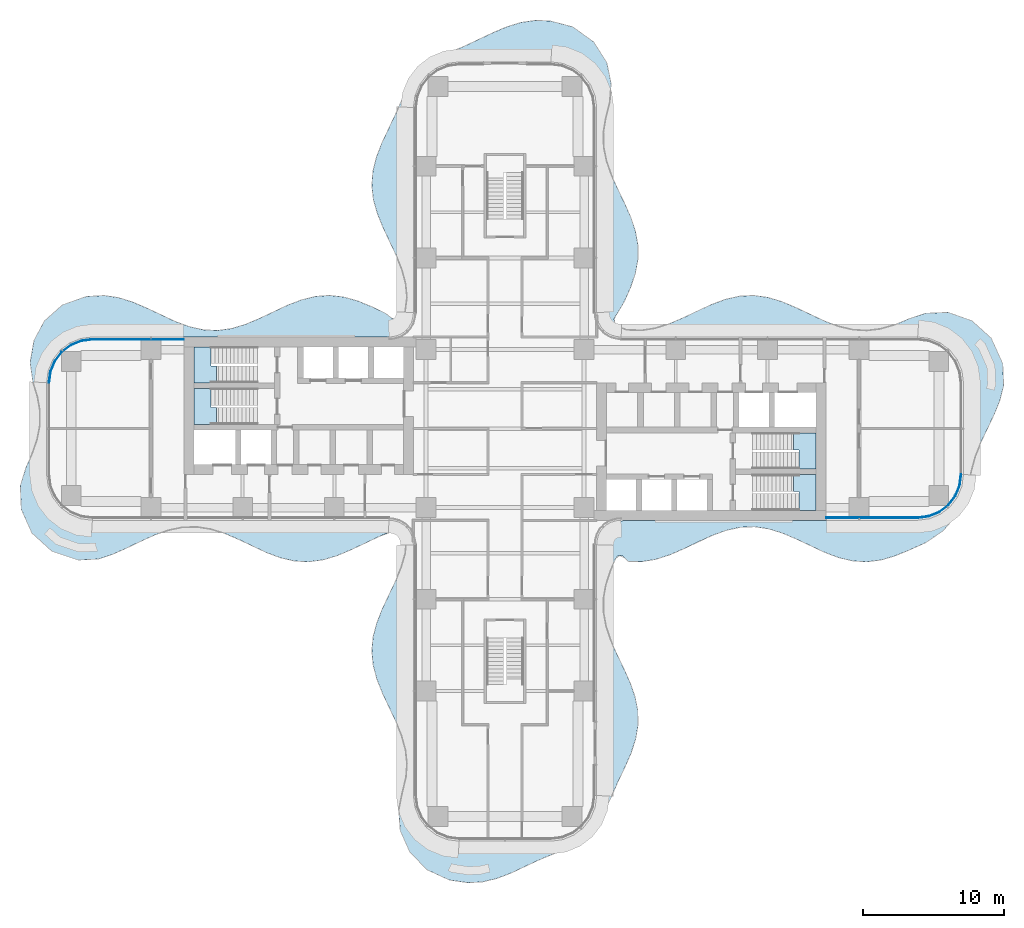
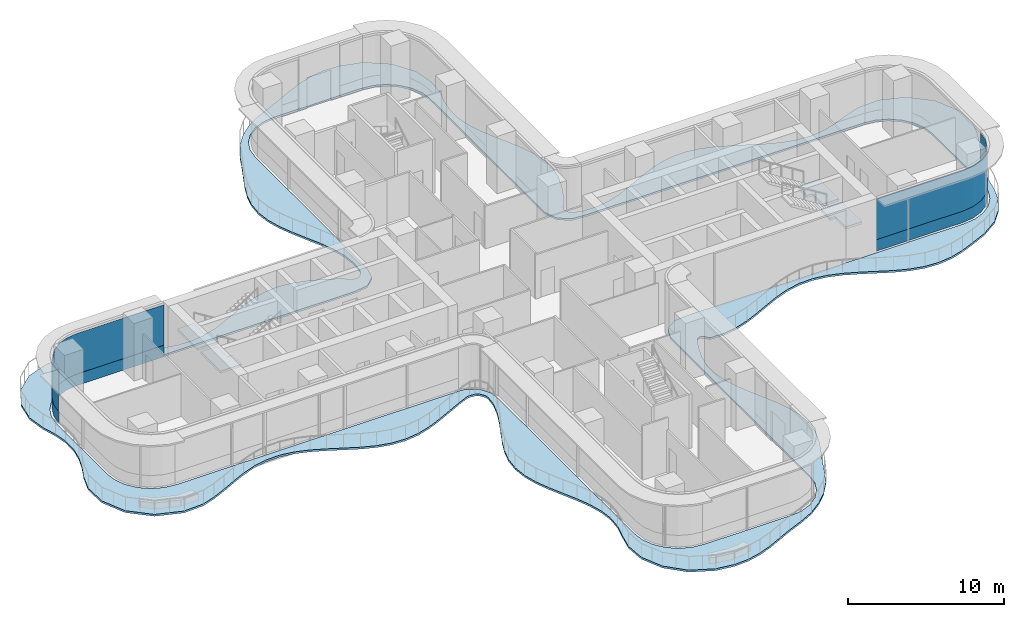
# One storey, part 15 of 22: 5 slabs, 4 plates, 6 elements without a shape of their own.
"""IFC4 building model written with IfcOpenShell, lengths in metres."""

import ifcopenshell
import ifcopenshell.guid

model = None  # the IFC model being written
_history = None  # IfcOwnerHistory: only IFC2X3 demands one
_inside = {}  # id of a spatial element -> (the spatial element, [elements in it])
_under = {}  # id of a project, library or spatial element -> (it, [spatial elements below it])
_declared = {}  # id of a project -> (the project, [libraries it declares])
_typed = {}  # id of a type object -> (the type object, [elements of that type])
_made_of = {}  # id of a material, layer set ... -> (it, [elements and type objects made of it])


def new_model(schema):
    """Start an empty IFC model of exactly this schema.

    Asked for "IFC4X3", IfcOpenShell would pick the latest addendum, in which some entities
    have other attributes; the version numbers below select the first issue.
    IFC2X3 requires an IfcOwnerHistory on every rooted entity: one is made here for all.
    """
    global model, _history
    if schema == "IFC4X3":
        model = ifcopenshell.file(schema_version=(4, 3, 0, 0))
    else:
        model = ifcopenshell.file(schema=schema)
    _inside.clear()
    _under.clear()
    _declared.clear()
    _typed.clear()
    _made_of.clear()
    _history = None
    if model.schema == "IFC2X3":
        org = make("IfcOrganization", Name="unknown")
        user = make(
            "IfcPersonAndOrganization",
            ThePerson=make("IfcPerson", FamilyName="unknown"),
            TheOrganization=org,
        )
        app = make(
            "IfcApplication",
            ApplicationDeveloper=org,
            Version="unknown",
            ApplicationFullName="unknown",
            ApplicationIdentifier="unknown",
        )
        _history = make(
            "IfcOwnerHistory",
            OwningUser=user,
            OwningApplication=app,
            ChangeAction="ADDED",
            CreationDate=0,
        )
    return model


def make(cls, **values):
    """One entity of the class cls with the attributes given. An attribute that is None is left unset."""
    return model.create_entity(
        cls, **{name: value for name, value in values.items() if value is not None}
    )


def rooted(cls, **values):
    """An entity with a GlobalId (a new one), such as an element, a storey or a relation."""
    return make(cls, GlobalId=ifcopenshell.guid.new(), OwnerHistory=_history, **values)


def si_unit(unit_type, name, prefix=None):
    """IfcSIUnit, for example si_unit("LENGTHUNIT", "METRE", prefix="MILLI")."""
    return make("IfcSIUnit", UnitType=unit_type, Prefix=prefix, Name=name)


def assignment(units):
    """IfcUnitAssignment: the units of a project."""
    return None if units is None else make("IfcUnitAssignment", Units=units)


def point(xyz):
    """IfcCartesianPoint."""
    return None if xyz is None else make("IfcCartesianPoint", Coordinates=xyz)


def direction(xyz):
    """IfcDirection."""
    return None if xyz is None else make("IfcDirection", DirectionRatios=xyz)


def frame(location, z_axis=None, x_axis=None):
    """IfcAxis2Placement3D, a coordinate frame: its origin and axes. An axis left out is left unset."""
    return make(
        "IfcAxis2Placement3D",
        Location=point(location),
        Axis=direction(z_axis),
        RefDirection=direction(x_axis),
    )


def origin():
    """The frame at (0, 0, 0) with its axes left unset."""
    return frame((0.0, 0.0, 0.0))


def place(relative_to, where):
    """IfcLocalPlacement: puts the frame where relative to a parent placement (None: the world)."""
    return make(
        "IfcLocalPlacement", PlacementRelTo=relative_to, RelativePlacement=where
    )


def context(
    kind, dimensions, precision=None, world=None, true_north=None, identifier=None
):
    """IfcGeometricRepresentationContext, for example the 3D "Model" context."""
    return make(
        "IfcGeometricRepresentationContext",
        ContextIdentifier=identifier,
        ContextType=kind,
        CoordinateSpaceDimension=dimensions,
        Precision=precision,
        WorldCoordinateSystem=world,
        TrueNorth=true_north,
    )


def subcontext(parent, identifier, kind, view, scale=None):
    """IfcGeometricRepresentationSubContext, for example "Body" below "Model"."""
    return make(
        "IfcGeometricRepresentationSubContext",
        ContextIdentifier=identifier,
        ContextType=kind,
        ParentContext=parent,
        TargetScale=scale,
        TargetView=view,
    )


def project(units=None, contexts=None):
    """IfcProject with its units and contexts."""
    return rooted(
        "IfcProject",
        Name="project",
        RepresentationContexts=contexts,
        UnitsInContext=assignment(units),
    )


def spatial(cls, under=None, at=None, **own):
    """A site, building, storey or space (cls), placed at a placement, below another one or the project."""
    s = rooted(cls, ObjectPlacement=at, **own)
    if under is not None:
        _under.setdefault(under.id(), (under, []))[1].append(s)
    return s


def polyline(points):
    """IfcPolyline through the points."""
    return make("IfcPolyline", Points=[point(p) for p in points])


def outline(outer, holes=None, kind="AREA"):
    """IfcArbitraryClosedProfileDef: a profile drawn as a closed curve; with holes, ...WithVoids."""
    if holes is None:
        return make("IfcArbitraryClosedProfileDef", ProfileType=kind, OuterCurve=outer)
    return make(
        "IfcArbitraryProfileDefWithVoids",
        ProfileType=kind,
        OuterCurve=outer,
        InnerCurves=holes,
    )


def extrude(swept, where, along, depth):
    """IfcExtrudedAreaSolid: the profile swept, set in the frame where, extruded along a direction by depth."""
    return make(
        "IfcExtrudedAreaSolid",
        SweptArea=swept,
        Position=where,
        ExtrudedDirection=direction(along),
        Depth=depth,
    )


def shape(context_of_items, identifier, shape_type, items):
    """IfcShapeRepresentation: the items that make up one representation, for example the "Body"."""
    return make(
        "IfcShapeRepresentation",
        ContextOfItems=context_of_items,
        RepresentationIdentifier=identifier,
        RepresentationType=shape_type,
        Items=items,
    )


def source(mapping_origin, context_of_items, identifier, shape_type, items):
    """IfcRepresentationMap: a shape defined once, which mapped items show again and again."""
    return make(
        "IfcRepresentationMap",
        MappingOrigin=mapping_origin,
        MappedRepresentation=shape(context_of_items, identifier, shape_type, items),
    )


def transform(
    local_origin,
    x_axis=None,
    y_axis=None,
    z_axis=None,
    scale=None,
    scale2=None,
    scale3=None,
    uniform=True,
):
    """IfcCartesianTransformationOperator3D, or its non-uniform kind. x_axis, y_axis, z_axis: its Axis1, 2, 3."""
    if uniform:
        return make(
            "IfcCartesianTransformationOperator3D",
            Axis1=direction(x_axis),
            Axis2=direction(y_axis),
            LocalOrigin=point(local_origin),
            Scale=scale,
            Axis3=direction(z_axis),
        )
    return make(
        "IfcCartesianTransformationOperator3DnonUniform",
        Axis1=direction(x_axis),
        Axis2=direction(y_axis),
        LocalOrigin=point(local_origin),
        Scale=scale,
        Axis3=direction(z_axis),
        Scale2=scale2,
        Scale3=scale3,
    )


def mapped(mapping_source, mapping_target):
    """IfcMappedItem: shows the shape of a source again, moved by a transform."""
    return make(
        "IfcMappedItem", MappingSource=mapping_source, MappingTarget=mapping_target
    )


def material(Name=None, Category=None):
    """IfcMaterial."""
    return make("IfcMaterial", Name=Name, Category=Category)


def layer(
    of_material, thickness, ventilated=None, Name=None, Category=None, Priority=None
):
    """IfcMaterialLayer: one layer of a wall or slab, of a material (None: an air gap)."""
    return make(
        "IfcMaterialLayer",
        Material=of_material,
        LayerThickness=thickness,
        IsVentilated=ventilated,
        Name=Name,
        Category=Category,
        Priority=Priority,
    )


def layer_set(layers, Name=None):
    """IfcMaterialLayerSet."""
    return make("IfcMaterialLayerSet", MaterialLayers=layers, LayerSetName=Name)


def made_of(thing, what):
    """Note that an element or type object is made of a material, layer set ...; save() writes the relation."""
    if what is not None:
        _made_of.setdefault(what.id(), (what, []))[1].append(thing)
    return thing


def type_object(cls, material=None, **own):
    """A type object (cls), such as IfcWallType, which elements share."""
    return made_of(rooted(cls, **own), material)


def element(
    cls,
    number,
    at=None,
    inside=None,
    cuts=None,
    type_object=None,
    material=None,
    context=None,
    identifier="Body",
    shape_type=None,
    held_by="IfcProductDefinitionShape",
    body=None,
    shapes=None,
    **own,
):
    """One element of the class cls, such as IfcWall. Its Tag is "e" and its number.

    at: its placement. inside: the storey or other place that contains it. cuts: it is an
    opening in that element (IfcRelVoidsElement). A single representation is given by context,
    identifier, shape_type and body (its items); several are given by shapes. held_by: the class
    of the entity that holds the representations. save() writes the other relations.
    """
    e = rooted(cls, Tag="e%d" % number, ObjectPlacement=at, **own)
    if body is not None:
        shapes = [shape(context, identifier, shape_type, body)]
    if shapes is not None:
        e.Representation = make(held_by, Representations=shapes)
    if inside is not None:
        _inside.setdefault(inside.id(), (inside, []))[1].append(e)
    if cuts is not None:
        rooted(
            "IfcRelVoidsElement", RelatingBuildingElement=cuts, RelatedOpeningElement=e
        )
    if type_object is not None:
        _typed.setdefault(type_object.id(), (type_object, []))[1].append(e)
    return made_of(e, material)


def aggregate(whole, parts):
    """IfcRelAggregates: a whole, such as a stair, and the parts it consists of."""
    return rooted("IfcRelAggregates", RelatingObject=whole, RelatedObjects=parts)


def save(model, path):
    """Write the relations noted so far, then the file.

    IfcRelAggregates (storeys below a building ...), IfcRelContainedInSpatialStructure (elements
    in a storey), IfcRelDefinesByType, IfcRelAssociatesMaterial and IfcRelDeclares: one each for
    every whole, place, type object, material and project.
    """
    for whole, parts in _under.values():
        aggregate(whole, parts)
    for where, things in _inside.values():
        rooted(
            "IfcRelContainedInSpatialStructure",
            RelatedElements=things,
            RelatingStructure=where,
        )
    for kind, things in _typed.values():
        rooted("IfcRelDefinesByType", RelatedObjects=things, RelatingType=kind)
    for what, things in _made_of.values():
        rooted("IfcRelAssociatesMaterial", RelatedObjects=things, RelatingMaterial=what)
    for by, libraries in _declared.values():
        rooted("IfcRelDeclares", RelatingContext=by, RelatedDefinitions=libraries)
    model.write(path)


model = new_model("IFC4")

# Units and contexts
model_context = context("Model", 3, precision=1e-05, world=origin(), true_north=direction((0.0, 1.0)))
body_context = subcontext(model_context, "Body", "Model", "MODEL_VIEW")
ifc_project = project(units=[si_unit("LENGTHUNIT", "METRE"), si_unit("AREAUNIT", "SQUARE_METRE"), si_unit("VOLUMEUNIT", "CUBIC_METRE"), si_unit("PLANEANGLEUNIT", "RADIAN"), si_unit("MASSUNIT", "GRAM", prefix="KILO")], contexts=[model_context])

# Site, building, storey
site_placement = place(None, origin())
site = spatial("IfcSite", under=ifc_project, at=site_placement, CompositionType="ELEMENT")
building_placement = place(site_placement, origin())
building = spatial("IfcBuilding", under=site, at=building_placement, Name="Trellis Farm Tower", CompositionType="ELEMENT")
storey_placement = place(building_placement, frame((0.0, 0.0, 70.0)))
storey = spatial("IfcBuildingStorey", under=building, at=storey_placement, Name="L14", CompositionType="ELEMENT", Elevation=70.0)

# Slab
ifc_material_1 = material(Name="Concrete C40/50", Category="concrete")
ifc_layer_1 = layer(ifc_material_1, 0.14990234375)
ifc_layer_set_1 = layer_set([ifc_layer_1], Name="Balcony slab 150")
slab_type_1 = type_object("IfcSlabType", Name="Balcony slab 150", PredefinedType="FLOOR", material=ifc_layer_set_1)
slab_1_placement = place(storey_placement, frame((0.0, 0.0, -0.14990234375)))
element("IfcSlab", 1, at=slab_1_placement, inside=storey, type_object=slab_type_1, Name="Balcony slab", PredefinedType="FLOOR", context=body_context, shape_type="SweptSolid", body=[
    extrude(outline(polyline([(-21.852783203125, -6.9658203125), (-22.898193359375, -6.996826171875), (-22.91162109375, -6.99853515625), (-23.889404296875, -7.20703125), (-23.89892578125, -7.2099609375), (-24.852294921875, -7.5517578125), (-24.85791015625, -7.553955078125), (-25.861083984375, -8.00830078125), (-25.86279296875, -8.00927734375), (-26.86328125, -8.491455078125), (-26.867919921875, -8.49365234375), (-27.845703125, -8.923095703125), (-27.85888671875, -8.927978515625), (-28.81396484375, -9.244384765625), (-28.854248046875, -9.251953125), (-30.254150390625, -9.3154296875), (-30.28271484375, -9.314208984375), (-30.31787109375, -9.30908203125), (-30.3447265625, -9.302490234375), (-32.090087890625, -8.707275390625), (-32.118408203125, -8.6943359375), (-32.152587890625, -8.673828125), (-32.177490234375, -8.655517578125), (-33.5166015625, -7.4267578125), (-33.537109375, -7.403564453125), (-33.560302734375, -7.371337890625), (-33.57568359375, -7.344482421875), (-34.28564453125, -5.739990234375), (-34.294921875, -5.71240234375), (-34.302978515625, -5.676025390625), (-34.306640625, -5.6474609375), (-34.357421875, -4.052978515625), (-34.3505859375, -4.00341796875), (-33.96484375, -2.76904296875), (-33.958740234375, -2.752685546875), (-33.521240234375, -1.771484375), (-33.518798828125, -1.765380859375), (-33.1796875, -0.785888671875), (-33.177001953125, -0.77587890625), (-32.98583984375, 0.201904296875), (-32.984619140625, 0.215576171875), (-32.97412109375, 1.260986328125), (-32.975341796875, 1.27490234375), (-33.147216796875, 2.250732421875), (-33.1494140625, 2.260009765625), (-33.467529296875, 3.2919921875), (-33.47265625, 3.314453125), (-33.669189453125, 4.655517578125), (-33.66845703125, 4.70361328125), (-33.39599609375, 6.23291015625), (-33.380615234375, 6.277587890625), (-32.656982421875, 7.62646484375), (-32.64208984375, 7.64892578125), (-32.6201171875, 7.676513671875), (-32.6015625, 7.69580078125), (-31.384033203125, 8.75927734375), (-31.360595703125, 8.77587890625), (-31.328369140625, 8.794921875), (-31.302001953125, 8.806884765625), (-29.686279296875, 9.365478515625), (-29.645263671875, 9.373291015625), (-28.41015625, 9.4375), (-28.3798828125, 9.43603515625), (-27.405029296875, 9.289306640625), (-27.382568359375, 9.283935546875), (-26.399169921875, 8.9755859375), (-26.384765625, 8.97021484375), (-25.385498046875, 8.541015625), (-25.380859375, 8.538818359375), (-23.3828125, 7.599365234375), (-23.376708984375, 7.596923828125), (-22.37744140625, 7.228515625), (-22.367919921875, 7.225830078125), (-21.3740234375, 7.0048828125), (-21.361083984375, 7.003173828125), (-20.3759765625, 6.959716796875), (-20.3623046875, 6.960205078125), (-19.383544921875, 7.096923828125), (-19.3720703125, 7.099365234375), (-18.3935546875, 7.395263671875), (-18.38623046875, 7.39794921875), (-17.40380859375, 7.811767578125), (-17.40087890625, 7.81298828125), (-15.426513671875, 8.746337890625), (-15.416259765625, 8.750732421875), (-14.43798828125, 9.126953125), (-14.420166015625, 9.132568359375), (-13.44873046875, 9.372314453125), (-13.423583984375, 9.376220703125), (-12.454833984375, 9.4462890625), (-12.42724609375, 9.44580078125), (-11.4541015625, 9.336181640625), (-11.43017578125, 9.331298828125), (-10.448486328125, 9.0546875), (-10.432373046875, 9.049072265625), (-9.443115234375, 8.64404296875), (-9.4345703125, 8.64013671875), (-8.486328125, 8.18115234375), (-8.458740234375, 8.163818359375), (-8.04150390625, 7.833984375), (-8.022216796875, 7.82275390625), (-7.84521484375, 7.754638671875), (-7.82275390625, 7.749755859375), (-7.64111328125, 7.73876953125), (-7.6220703125, 7.739990234375), (-7.476806640625, 7.768798828125), (-7.443359375, 7.78515625), (-7.330810546875, 7.88134765625), (-7.318115234375, 7.8955078125), (-7.09765625, 8.211669921875), (-7.0888671875, 8.228759765625), (-7.0341796875, 8.378662109375), (-7.02978515625, 8.39794921875), (-6.953857421875, 9.301025390625), (-6.953857421875, 9.31494140625), (-7.052978515625, 10.29443359375), (-7.05517578125, 10.306396484375), (-7.319580078125, 11.28466796875), (-7.322509765625, 11.29296875), (-7.706787109375, 12.25439453125), (-7.708740234375, 12.2587890625), (-8.65234375, 14.25244140625), (-8.65576171875, 14.260009765625), (-9.05517578125, 15.240478515625), (-9.060791015625, 15.256591796875), (-9.333251953125, 16.229248046875), (-9.337890625, 16.253173828125), (-9.44580078125, 17.2216796875), (-9.4462890625, 17.249755859375), (-9.370361328125, 18.25048828125), (-9.3662109375, 18.275634765625), (-9.12109375, 19.2470703125), (-9.115478515625, 19.2646484375), (-8.73974609375, 20.232421875), (-8.735595703125, 20.2421875), (-7.795166015625, 22.231201171875), (-7.79443359375, 22.23291015625), (-7.3037109375, 23.34521484375), (-7.2958984375, 23.3603515625), (-6.69091796875, 24.39306640625), (-6.675537109375, 24.41455078125), (-5.916259765625, 25.3056640625), (-5.898193359375, 25.323486328125), (-5.035400390625, 26.045654296875), (-5.013916015625, 26.060791015625), (-3.999755859375, 26.642578125), (-3.983154296875, 26.65087890625), (-2.866943359375, 27.1201171875), (-2.864013671875, 27.121337890625), (-0.88330078125, 28.055419921875), (-0.878173828125, 28.0576171875), (0.1044921875, 28.4775390625), (0.118896484375, 28.48291015625), (1.118896484375, 28.79248046875), (1.141845703125, 28.797607421875), (2.116455078125, 28.93896484375), (2.143310546875, 28.940185546875), (3.176513671875, 28.904296875), (3.209228515625, 28.8994140625), (4.76220703125, 28.4921875), (4.78857421875, 28.48291015625), (4.820556640625, 28.467529296875), (4.84423828125, 28.45361328125), (6.262451171875, 27.426513671875), (6.28369140625, 27.40771484375), (6.30908203125, 27.380615234375), (6.326416015625, 27.358154296875), (7.1962890625, 25.982421875), (7.20849609375, 25.95849609375), (7.2216796875, 25.926513671875), (7.2294921875, 25.900390625), (7.5185546875, 24.482666015625), (7.521240234375, 24.441162109375), (7.42041015625, 23.134033203125), (7.416259765625, 23.1083984375), (7.13671875, 22.01513671875), (7.135498046875, 22.009033203125), (6.97216796875, 21.03857421875), (6.97119140625, 21.02490234375), (6.98828125, 19.979248046875), (6.989990234375, 19.9658203125), (7.186767578125, 18.98779296875), (7.189453125, 18.97802734375), (7.522216796875, 18.0263671875), (7.5244140625, 18.0205078125), (7.973876953125, 17.017333984375), (7.974853515625, 17.015380859375), (8.457763671875, 16.0146484375), (8.459716796875, 16.010498046875), (8.900390625, 15.016845703125), (8.905517578125, 15.004150390625), (9.23876953125, 14.018798828125), (9.244140625, 13.997802734375), (9.422607421875, 13.021484375), (9.425048828125, 12.99462890625), (9.42529296875, 12.02490234375), (9.423095703125, 11.998046875), (9.247314453125, 11.028564453125), (9.241943359375, 11.00732421875), (8.913818359375, 10.031982421875), (8.908935546875, 10.01904296875), (8.482177734375, 9.052978515625), (8.474365234375, 9.03759765625), (8.0, 8.230712890625), (7.994873046875, 8.222412109375), (7.795654296875, 7.928466796875), (7.78759765625, 7.912353515625), (7.73876953125, 7.780517578125), (7.73486328125, 7.745361328125), (7.7529296875, 7.606201171875), (7.757568359375, 7.588623046875), (7.82763671875, 7.40869140625), (7.835205078125, 7.39404296875), (7.906494140625, 7.2880859375), (7.9296875, 7.26611328125), (8.039306640625, 7.2001953125), (8.05419921875, 7.193603515625), (8.62109375, 7.0048828125), (8.632080078125, 7.002197265625), (8.72314453125, 6.986328125), (8.734619140625, 6.985107421875), (9.698486328125, 6.968505859375), (9.71142578125, 6.96923828125), (10.638671875, 7.1181640625), (10.649658203125, 7.120849609375), (11.6796875, 7.44873046875), (11.686767578125, 7.451416015625), (12.66943359375, 7.87744140625), (12.672119140625, 7.87890625), (13.65869140625, 8.35400390625), (13.661376953125, 8.355224609375), (14.647216796875, 8.80712890625), (14.65771484375, 8.8115234375), (15.63525390625, 9.17138671875), (15.654296875, 9.177001953125), (16.625, 9.393798828125), (16.65087890625, 9.397216796875), (17.619873046875, 9.44189453125), (17.647216796875, 9.440673828125), (18.62158203125, 9.3056640625), (18.64453125, 9.300537109375), (19.62744140625, 9.002685546875), (19.642333984375, 8.997314453125), (20.6416015625, 8.57421875), (20.647216796875, 8.57177734375), (22.643798828125, 7.630126953125), (22.6494140625, 7.627685546875), (23.649169921875, 7.250732421875), (23.65869140625, 7.247802734375), (24.65283203125, 7.01513671875), (24.66552734375, 7.01318359375), (25.651611328125, 6.956787109375), (25.664794921875, 6.957275390625), (26.58935546875, 7.0703125), (26.600830078125, 7.072509765625), (27.597412109375, 7.356689453125), (27.60546875, 7.359375), (28.6181640625, 7.776123046875), (28.627197265625, 7.779541015625), (29.794921875, 8.17431640625), (29.837158203125, 8.181884765625), (31.3671875, 8.2421875), (31.39599609375, 8.24072265625), (31.431396484375, 8.235107421875), (31.458740234375, 8.228515625), (33.0419921875, 7.66943359375), (33.06884765625, 7.656982421875), (33.101806640625, 7.637451171875), (33.12548828125, 7.619873046875), (34.46044921875, 6.415771484375), (34.4814453125, 6.392333984375), (34.505126953125, 6.359619140625), (34.52099609375, 6.33251953125), (35.26708984375, 4.650146484375), (35.276123046875, 4.623291015625), (35.284423828125, 4.58740234375), (35.288330078125, 4.55908203125), (35.34521484375, 3.064697265625), (35.340576171875, 3.021484375), (35.079833984375, 2.013916015625), (35.07373046875, 1.99560546875), (34.671875, 0.99658203125), (34.668212890625, 0.98828125), (33.73291015625, -0.985595703125), (33.731201171875, -0.98974609375), (33.334716796875, -1.970947265625), (33.331787109375, -1.97900390625), (33.056884765625, -2.980712890625), (33.0556640625, -2.986083984375), (32.84228515625, -4.078369140625), (32.838134765625, -4.0947265625), (32.49462890625, -5.1806640625), (32.4833984375, -5.20751953125), (31.9052734375, -6.263916015625), (31.886474609375, -6.290771484375), (31.044189453125, -7.251708984375), (31.015380859375, -7.277099609375), (29.8232421875, -8.085205078125), (29.800048828125, -8.09814453125), (28.620849609375, -8.622314453125), (28.617431640625, -8.623779296875), (27.63671875, -9.030029296875), (27.62109375, -9.035400390625), (26.64794921875, -9.318359375), (26.624755859375, -9.3232421875), (25.65576171875, -9.44384765625), (25.62841796875, -9.44482421875), (24.656982421875, -9.38623046875), (24.63134765625, -9.38232421875), (23.65234375, -9.150634765625), (23.6337890625, -9.14501953125), (22.646240234375, -8.77099609375), (22.635498046875, -8.766357421875), (20.6494140625, -7.829345703125), (20.646728515625, -7.828125), (19.664306640625, -7.4111328125), (19.656982421875, -7.408447265625), (18.678466796875, -7.107421875), (18.667236328125, -7.10498046875), (17.6884765625, -6.962158203125), (17.6748046875, -6.96142578125), (16.68994140625, -6.998291015625), (16.677001953125, -7.0), (15.68359375, -7.215087890625), (15.673583984375, -7.2177734375), (14.67431640625, -7.581787109375), (14.668701171875, -7.583984375), (13.665283203125, -8.04296875), (13.663818359375, -8.043701171875), (12.67041015625, -8.522216796875), (12.664794921875, -8.524658203125), (11.68212890625, -8.950439453125), (11.668212890625, -8.955810546875), (10.668212890625, -9.275390625), (10.646240234375, -9.280517578125), (9.702392578125, -9.43212890625), (9.675537109375, -9.43408203125), (8.746337890625, -9.4150390625), (8.684326171875, -9.400146484375), (8.683837890625, -9.39990234375), (8.630859375, -9.357421875), (8.48583984375, -9.17236328125), (8.48046875, -9.166015625), (8.36328125, -9.04638671875), (8.328125, -9.026611328125), (8.181884765625, -8.990966796875), (8.1416015625, -8.99267578125), (7.998779296875, -9.039794921875), (7.965087890625, -9.0625), (7.862060546875, -9.186279296875), (7.851318359375, -9.203857421875), (7.492919921875, -10.014892578125), (7.490478515625, -10.021484375), (7.147705078125, -11.050048828125), (7.14501953125, -11.060302734375), (6.978515625, -11.9892578125), (6.977294921875, -12.002197265625), (6.97509765625, -12.985595703125), (6.976318359375, -12.9990234375), (7.154541015625, -13.99072265625), (7.1572265625, -14.001220703125), (7.4931640625, -14.999755859375), (7.49560546875, -15.006103515625), (7.939697265625, -16.0087890625), (7.940673828125, -16.010986328125), (8.423828125, -17.012451171875), (8.425537109375, -17.01611328125), (8.87158203125, -18.010498046875), (8.87646484375, -18.022216796875), (9.212890625, -18.984619140625), (9.21826171875, -19.0048828125), (9.411865234375, -19.974609375), (9.414794921875, -20.00146484375), (9.431396484375, -21.002197265625), (9.42919921875, -21.029541015625), (9.265625, -21.998779296875), (9.26025390625, -22.0205078125), (8.94189453125, -22.995361328125), (8.93701171875, -23.0087890625), (8.5078125, -23.99169921875), (8.505615234375, -23.996826171875), (8.025390625, -24.993896484375), (8.02392578125, -24.996826171875), (7.570068359375, -26.052734375), (7.56689453125, -26.0595703125), (7.02587890625, -27.161376953125), (7.010986328125, -27.185302734375), (6.302734375, -28.127685546875), (6.287353515625, -28.145263671875), (5.501220703125, -28.908935546875), (5.485107421875, -28.92236328125), (4.560302734375, -29.5986328125), (4.5380859375, -29.6123046875), (3.462158203125, -30.1416015625), (3.453369140625, -30.145751953125), (2.365478515625, -30.595458984375), (2.3623046875, -30.596923828125), (0.378173828125, -31.53173828125), (0.366943359375, -31.53662109375), (-0.5986328125, -31.8994140625), (-0.6171875, -31.905029296875), (-1.587890625, -32.13330078125), (-1.61376953125, -32.13720703125), (-2.61474609375, -32.193115234375), (-2.64501953125, -32.191650390625), (-3.927978515625, -32.00390625), (-3.96875, -31.99169921875), (-5.485107421875, -31.295654296875), (-5.509033203125, -31.281982421875), (-5.53759765625, -31.261962890625), (-5.55810546875, -31.244384765625), (-6.724609375, -30.056640625), (-6.74169921875, -30.035888671875), (-6.76123046875, -30.00732421875), (-6.7744140625, -29.98388671875), (-7.417236328125, -28.541259765625), (-7.42578125, -28.516357421875), (-7.43408203125, -28.4833984375), (-7.43798828125, -28.45751953125), (-7.537353515625, -27.03076171875), (-7.534423828125, -26.98974609375), (-7.2783203125, -25.759033203125), (-7.277099609375, -25.75390625), (-7.0263671875, -24.7255859375), (-7.0244140625, -24.713134765625), (-6.954833984375, -23.726318359375), (-6.955078125, -23.712890625), (-7.055908203125, -22.789306640625), (-7.05810546875, -22.77734375), (-7.34423828125, -21.743408203125), (-7.346923828125, -21.735107421875), (-7.747314453125, -20.753662109375), (-7.748779296875, -20.749755859375), (-8.68408203125, -18.775634765625), (-8.687744140625, -18.76708984375), (-9.079833984375, -17.787353515625), (-9.08544921875, -17.7705078125), (-9.346923828125, -16.798583984375), (-9.3515625, -16.77392578125), (-9.447265625, -15.773193359375), (-9.447265625, -15.7451171875), (-9.35791015625, -14.776611328125), (-9.353759765625, -14.752197265625), (-9.097412109375, -13.7802734375), (-9.091796875, -13.76318359375), (-8.70361328125, -12.78369140625), (-8.69970703125, -12.77490234375), (-7.764892578125, -10.800537109375), (-7.76318359375, -10.797119140625), (-7.359619140625, -9.815185546875), (-7.356689453125, -9.807373046875), (-7.07861328125, -8.837158203125), (-7.075927734375, -8.82275390625), (-7.00927734375, -8.036865234375), (-7.011474609375, -8.010986328125), (-7.066162109375, -7.81005859375), (-7.076904296875, -7.787109375), (-7.288818359375, -7.481689453125), (-7.299560546875, -7.469482421875), (-7.39306640625, -7.383056640625), (-7.4208984375, -7.366943359375), (-7.5419921875, -7.328369140625), (-7.55810546875, -7.3251953125), (-7.955810546875, -7.289794921875), (-7.97412109375, -7.290283203125), (-8.1240234375, -7.314208984375), (-8.1416015625, -7.319091796875), (-8.919921875, -7.650634765625), (-8.922607421875, -7.65185546875), (-10.910888671875, -8.591552734375), (-10.9169921875, -8.593994140625), (-11.89111328125, -9.004150390625), (-11.906005859375, -9.009521484375), (-12.87939453125, -9.302734375), (-12.90283203125, -9.307861328125), (-13.9033203125, -9.4423828125), (-13.931396484375, -9.443359375), (-14.900146484375, -9.392333984375), (-14.92578125, -9.388916015625), (-15.896484375, -9.166015625), (-15.915283203125, -9.160400390625), (-16.892333984375, -8.796875), (-16.904052734375, -8.7919921875), (-18.878662109375, -7.862060546875), (-18.880859375, -7.861083984375), (-19.86376953125, -7.437744140625), (-19.870849609375, -7.435302734375), (-20.849609375, -7.12451171875), (-20.860595703125, -7.121826171875), (-21.8388671875, -6.966796875), (-21.852783203125, -6.9658203125)]), holes=[polyline([(-7.444580078125, 6.68798828125), (-7.492919921875, 6.66455078125), (-7.534423828125, 6.651123046875), (-8.439208984375, 6.501953125), (-8.456298828125, 6.50048828125), (-29.25, 6.50048828125), (-30.09130859375, 6.389892578125), (-30.875244140625, 6.065185546875), (-31.548583984375, 5.548583984375), (-32.065185546875, 4.875244140625), (-32.389892578125, 4.09130859375), (-32.50048828125, 3.25), (-32.50048828125, -3.25), (-32.389892578125, -4.09130859375), (-32.065185546875, -4.875244140625), (-31.548583984375, -5.548583984375), (-30.875244140625, -6.065185546875), (-30.09130859375, -6.389892578125), (-29.25, -6.50048828125), (-8.893798828125, -6.50048828125), (-7.973388671875, -6.525390625), (-7.94189453125, -6.52978515625), (-7.90234375, -6.539306640625), (-7.872314453125, -6.550048828125), (-7.106689453125, -6.919921875), (-7.0693359375, -6.94580078125), (-7.0283203125, -6.984130859375), (-7.00048828125, -7.019775390625), (-6.58544921875, -7.75439453125), (-6.572265625, -7.785888671875), (-6.559814453125, -7.827880859375), (-6.55419921875, -7.861572265625), (-6.50048828125, -8.785888671875), (-6.50048828125, -26.0), (-6.389892578125, -26.84130859375), (-6.065185546875, -27.625244140625), (-5.548583984375, -28.298583984375), (-4.875244140625, -28.815185546875), (-4.09130859375, -29.139892578125), (-3.25, -29.25048828125), (3.25, -29.25048828125), (4.09130859375, -29.139892578125), (4.875244140625, -28.815185546875), (5.548583984375, -28.298583984375), (6.065185546875, -27.625244140625), (6.389892578125, -26.84130859375), (6.50048828125, -26.0), (6.50048828125, -8.989501953125), (6.511962890625, -8.083984375), (6.514892578125, -8.057373046875), (6.521484375, -8.023193359375), (6.52880859375, -7.997314453125), (6.840087890625, -7.19580078125), (6.863525390625, -7.155517578125), (6.899658203125, -7.111083984375), (6.934326171875, -7.079833984375), (7.63720703125, -6.621826171875), (7.670166015625, -6.605712890625), (7.714111328125, -6.590576171875), (7.749755859375, -6.5830078125), (8.677490234375, -6.50048828125), (29.25, -6.50048828125), (30.09130859375, -6.389892578125), (30.875244140625, -6.065185546875), (31.548583984375, -5.548583984375), (32.065185546875, -4.875244140625), (32.389892578125, -4.09130859375), (32.50048828125, -3.25), (32.50048828125, 3.25), (32.389892578125, 4.09130859375), (32.065185546875, 4.875244140625), (31.548583984375, 5.548583984375), (30.875244140625, 6.065185546875), (30.09130859375, 6.389892578125), (29.25, 6.50048828125), (8.677490234375, 6.50048828125), (7.749755859375, 6.5830078125), (7.714111328125, 6.590576171875), (7.670166015625, 6.605712890625), (7.63720703125, 6.621826171875), (6.934326171875, 7.079833984375), (6.899658203125, 7.111083984375), (6.863525390625, 7.155517578125), (6.840087890625, 7.19580078125), (6.52880859375, 7.997314453125), (6.521484375, 8.023193359375), (6.514892578125, 8.057373046875), (6.511962890625, 8.083984375), (6.50048828125, 8.989501953125), (6.50048828125, 22.75), (6.389892578125, 23.59130859375), (6.065185546875, 24.375244140625), (5.548583984375, 25.048583984375), (4.875244140625, 25.565185546875), (4.09130859375, 25.889892578125), (3.25, 26.00048828125), (-3.25, 26.00048828125), (-4.09130859375, 25.889892578125), (-4.875244140625, 25.565185546875), (-5.548583984375, 25.048583984375), (-6.065185546875, 24.375244140625), (-6.389892578125, 23.59130859375), (-6.50048828125, 22.75), (-6.50048828125, 8.313720703125), (-6.50439453125, 8.282470703125), (-6.724365234375, 7.396484375), (-6.7412109375, 7.355712890625), (-6.768798828125, 7.309814453125), (-6.7958984375, 7.276123046875), (-7.408935546875, 6.71240234375), (-7.444580078125, 6.68798828125)])]), origin(), (0.0, 0.0, 1.0), 0.14990234375),
])

# Stair, slab
ifc_material_2 = material(Name="Concrete C50/60", Category="concrete")
stair_type = type_object("IfcStairType", Name="CORE EXIT STAIR 26 RISERS 173 MM", PredefinedType="HALF_TURN_STAIR", material=ifc_material_2)
placement_1 = place(storey_placement, origin())
stair_1 = element("IfcStair", 2, at=placement_1, inside=storey, type_object=stair_type, Name="Exit stair E1", PredefinedType="HALF_TURN_STAIR")
ifc_layer_2 = layer(ifc_material_2, 0.18994140625)
ifc_layer_set_2 = layer_set([ifc_layer_2], Name="CORE STAIR LANDING 190 CONCRETE C50/60")
slab_type_2 = type_object("IfcSlabType", Name="CORE STAIR LANDING 190 CONCRETE C50/60", PredefinedType="LANDING", material=ifc_layer_set_2)
shared_shape_1 = source(origin(), body_context, "Body", "SweptSolid", [
    extrude(outline(polyline([(20.840087890625, -5.800048828125), (20.840087890625, -4.60009765625), (20.85009765625, -4.60009765625), (20.85009765625, -4.449951171875), (20.453125, -4.449951171875), (20.453125, -3.25), (20.85009765625, -3.25), (22.050048828125, -3.25), (22.050048828125, -5.800048828125), (20.85009765625, -5.800048828125), (20.840087890625, -5.800048828125)])), origin(), (0.0, 0.0, 1.0), 0.18994140625),
])
placement_2 = place(storey_placement, frame((0.0, 0.0, 2.06005859375)))
slab_2 = element("IfcSlab", 3, at=placement_2, type_object=slab_type_2, Name="STE1 landing 1", PredefinedType="LANDING", context=body_context, shape_type="MappedRepresentation", body=[
    mapped(shared_shape_1, transform((0.0, 0.0, 0.0))),
])
aggregate(stair_1, [slab_2])

stair_2 = element("IfcStair", 4, at=placement_1, inside=storey, type_object=stair_type, Name="Exit stair E2", PredefinedType="HALF_TURN_STAIR")
shared_shape_2 = source(origin(), body_context, "Body", "SweptSolid", [
    extrude(outline(polyline([(20.840087890625, -2.85009765625), (20.840087890625, -1.64990234375), (20.85009765625, -1.64990234375), (20.85009765625, -1.5), (20.453125, -1.5), (20.453125, -0.300048828125), (20.85009765625, -0.300048828125), (22.050048828125, -0.300048828125), (22.050048828125, -2.85009765625), (20.85009765625, -2.85009765625), (20.840087890625, -2.85009765625)])), origin(), (0.0, 0.0, 1.0), 0.18994140625),
])
slab_3 = element("IfcSlab", 5, at=placement_2, type_object=slab_type_2, Name="STE2 landing 1", PredefinedType="LANDING", context=body_context, shape_type="MappedRepresentation", body=[
    mapped(shared_shape_2, transform((0.0, 0.0, 0.0))),
])
aggregate(stair_2, [slab_3])

stair_3 = element("IfcStair", 6, at=placement_1, inside=storey, type_object=stair_type, Name="Exit stair W1", PredefinedType="HALF_TURN_STAIR")
shared_shape_3 = source(origin(), body_context, "Body", "SweptSolid", [
    extrude(outline(polyline([(-20.453125, 4.449951171875), (-20.453125, 3.25), (-20.85009765625, 3.25), (-22.050048828125, 3.25), (-22.050048828125, 5.800048828125), (-20.85009765625, 5.800048828125), (-20.840087890625, 5.800048828125), (-20.840087890625, 4.60009765625), (-20.85009765625, 4.60009765625), (-20.85009765625, 4.449951171875), (-20.453125, 4.449951171875)])), origin(), (0.0, 0.0, 1.0), 0.18994140625),
])
slab_4 = element("IfcSlab", 7, at=placement_2, type_object=slab_type_2, Name="STW1 landing 1", PredefinedType="LANDING", context=body_context, shape_type="MappedRepresentation", body=[
    mapped(shared_shape_3, transform((0.0, 0.0, 0.0))),
])
aggregate(stair_3, [slab_4])

stair_4 = element("IfcStair", 8, at=placement_1, inside=storey, type_object=stair_type, Name="Exit stair W2", PredefinedType="HALF_TURN_STAIR")
shared_shape_4 = source(origin(), body_context, "Body", "SweptSolid", [
    extrude(outline(polyline([(-20.453125, 1.5), (-20.453125, 0.300048828125), (-20.85009765625, 0.300048828125), (-22.050048828125, 0.300048828125), (-22.050048828125, 2.85009765625), (-20.85009765625, 2.85009765625), (-20.840087890625, 2.85009765625), (-20.840087890625, 1.64990234375), (-20.85009765625, 1.64990234375), (-20.85009765625, 1.5), (-20.453125, 1.5)])), origin(), (0.0, 0.0, 1.0), 0.18994140625),
])
slab_5 = element("IfcSlab", 9, at=placement_2, type_object=slab_type_2, Name="STW2 landing 1", PredefinedType="LANDING", context=body_context, shape_type="MappedRepresentation", body=[
    mapped(shared_shape_4, transform((0.0, 0.0, 0.0))),
])
aggregate(stair_4, [slab_5])

# Curtain wall, plates
ifc_material_3 = material(Name="Aluminium and glass curtain wall", Category="aluminium")
ifc_layer_3 = layer(ifc_material_3, 0.18994140625)
ifc_layer_set_3 = layer_set([ifc_layer_3], Name="RIBBON CURTAIN WALL CW1")
curtain_wall_type = type_object("IfcCurtainWallType", Name="RIBBON CURTAIN WALL CW1", PredefinedType="NOTDEFINED", material=ifc_layer_set_3)
curtain_wall_1 = element("IfcCurtainWall", 10, at=placement_1, inside=storey, type_object=curtain_wall_type, Name="CW1 006", PredefinedType="NOTDEFINED")
ifc_material_4 = material(Name="Clear insulated glass", Category="glass")
ifc_layer_4 = layer(ifc_material_4, 0.0400390625)
ifc_layer_set_4 = layer_set([ifc_layer_4], Name="CW1 GLASS PANEL 40")
plate_type_1 = type_object("IfcPlateType", Name="CW1 GLASS PANEL 40", PredefinedType="CURTAIN_PANEL", material=ifc_layer_set_4)
shared_shape_5 = source(origin(), body_context, "Body", "SweptSolid", [
    extrude(outline(polyline([(22.780029296875, -6.35009765625), (29.240234375, -6.35009765625), (30.052001953125, -6.2431640625), (30.79931640625, -5.93359375), (31.441162109375, -5.441162109375), (31.93359375, -4.79931640625), (32.2431640625, -4.052001953125), (32.35009765625, -3.240234375), (32.31005859375, -3.237548828125), (32.2041015625, -4.04150390625), (31.898681640625, -4.779296875), (31.41259765625, -5.41259765625), (30.779296875, -5.898681640625), (30.04150390625, -6.2041015625), (29.237548828125, -6.31005859375), (22.780029296875, -6.31005859375), (22.780029296875, -6.35009765625)])), origin(), (0.0, 0.0, 1.0), 3.170166015625),
])
placement_3 = place(storey_placement, frame((0.0, 0.0, 0.89990234375)))
plate_1 = element("IfcPlate", 11, at=placement_3, type_object=plate_type_1, Name="PL1 006", PredefinedType="CURTAIN_PANEL", context=body_context, shape_type="MappedRepresentation", body=[
    mapped(shared_shape_5, transform((0.0, 0.0, 0.0))),
])
ifc_material_5 = material(Name="Sandstone faced insulated panel", Category="masonry")
ifc_layer_5 = layer(ifc_material_5, 0.050048828125)
ifc_layer_set_5 = layer_set([ifc_layer_5], Name="CW1 STONE SPANDREL PANEL 50")
plate_type_2 = type_object("IfcPlateType", Name="CW1 STONE SPANDREL PANEL 50", PredefinedType="CURTAIN_PANEL", material=ifc_layer_set_5)
shared_shape_6 = source(origin(), body_context, "Body", "SweptSolid", [
    extrude(outline(polyline([(22.780029296875, -6.35009765625), (29.240234375, -6.35009765625), (30.052001953125, -6.2431640625), (30.79931640625, -5.93359375), (31.441162109375, -5.441162109375), (31.93359375, -4.79931640625), (32.2431640625, -4.052001953125), (32.35009765625, -3.240234375), (32.300048828125, -3.23681640625), (32.1943359375, -4.0390625), (31.889892578125, -4.774169921875), (31.405517578125, -5.405517578125), (30.774169921875, -5.889892578125), (30.0390625, -6.1943359375), (29.23681640625, -6.300048828125), (22.780029296875, -6.300048828125), (22.780029296875, -6.35009765625)])), origin(), (0.0, 0.0, 1.0), 0.89990234375),
])
plate_2 = element("IfcPlate", 12, at=placement_1, type_object=plate_type_2, Name="PS1 006", PredefinedType="CURTAIN_PANEL", context=body_context, shape_type="MappedRepresentation", body=[
    mapped(shared_shape_6, transform((0.0, 0.0, 0.0))),
])
aggregate(curtain_wall_1, [plate_1, plate_2])

curtain_wall_2 = element("IfcCurtainWall", 13, at=placement_1, inside=storey, type_object=curtain_wall_type, Name="CW1 013", PredefinedType="NOTDEFINED")
shared_shape_7 = source(origin(), body_context, "Body", "SweptSolid", [
    extrude(outline(polyline([(-22.780029296875, 6.35009765625), (-29.240234375, 6.35009765625), (-30.052001953125, 6.2431640625), (-30.79931640625, 5.93359375), (-31.441162109375, 5.441162109375), (-31.93359375, 4.79931640625), (-32.2431640625, 4.052001953125), (-32.35009765625, 3.240234375), (-32.31005859375, 3.237548828125), (-32.2041015625, 4.04150390625), (-31.898681640625, 4.779296875), (-31.41259765625, 5.41259765625), (-30.779296875, 5.898681640625), (-30.04150390625, 6.2041015625), (-29.237548828125, 6.31005859375), (-22.780029296875, 6.31005859375), (-22.780029296875, 6.35009765625)])), origin(), (0.0, 0.0, 1.0), 3.170166015625),
])
plate_3 = element("IfcPlate", 14, at=placement_3, type_object=plate_type_1, Name="PL1 013", PredefinedType="CURTAIN_PANEL", context=body_context, shape_type="MappedRepresentation", body=[
    mapped(shared_shape_7, transform((0.0, 0.0, 0.0))),
])
shared_shape_8 = source(origin(), body_context, "Body", "SweptSolid", [
    extrude(outline(polyline([(-22.780029296875, 6.35009765625), (-29.240234375, 6.35009765625), (-30.052001953125, 6.2431640625), (-30.79931640625, 5.93359375), (-31.441162109375, 5.441162109375), (-31.93359375, 4.79931640625), (-32.2431640625, 4.052001953125), (-32.35009765625, 3.240234375), (-32.300048828125, 3.23681640625), (-32.1943359375, 4.0390625), (-31.889892578125, 4.774169921875), (-31.405517578125, 5.405517578125), (-30.774169921875, 5.889892578125), (-30.0390625, 6.1943359375), (-29.23681640625, 6.300048828125), (-22.780029296875, 6.300048828125), (-22.780029296875, 6.35009765625)])), origin(), (0.0, 0.0, 1.0), 0.89990234375),
])
plate_4 = element("IfcPlate", 15, at=placement_1, type_object=plate_type_2, Name="PS1 013", PredefinedType="CURTAIN_PANEL", context=body_context, shape_type="MappedRepresentation", body=[
    mapped(shared_shape_8, transform((0.0, 0.0, 0.0))),
])
aggregate(curtain_wall_2, [plate_3, plate_4])

save(model, "model.ifc")
